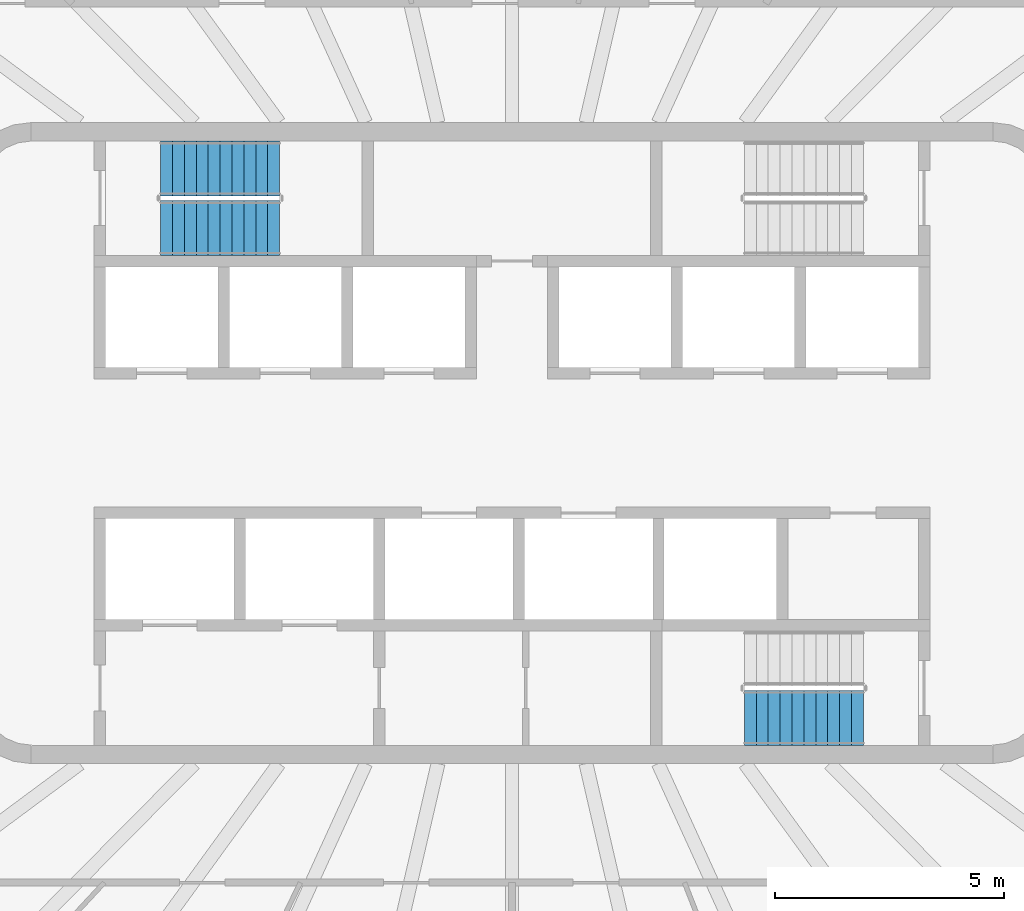
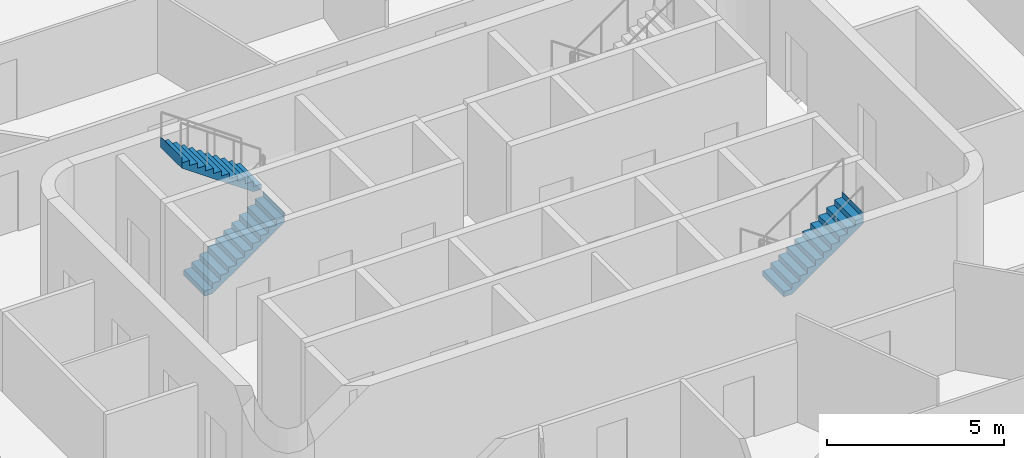
# One storey, part 13 of 19: 3 stair flights, 2 elements without a shape of their own.
"""IFC4 building model written with IfcOpenShell, lengths in metres."""

from ifc_helpers import new_model, si_unit, direction, frame, origin, place, context, subcontext, project, spatial, triangles, material, type_object, element, aggregate, save


model = new_model("IFC4")

# Units and contexts
model_context = context("Model", 3, precision=1e-05, world=origin(), true_north=direction((0.0, 1.0)))
body_context = subcontext(model_context, "Body", "Model", "MODEL_VIEW")
ifc_project = project(units=[si_unit("LENGTHUNIT", "METRE"), si_unit("AREAUNIT", "SQUARE_METRE"), si_unit("VOLUMEUNIT", "CUBIC_METRE"), si_unit("PLANEANGLEUNIT", "RADIAN"), si_unit("MASSUNIT", "GRAM", prefix="KILO")], contexts=[model_context])

# Site, building, storey
site_placement = place(None, origin())
site = spatial("IfcSite", under=ifc_project, at=site_placement, CompositionType="ELEMENT")
building_placement = place(site_placement, origin())
building = spatial("IfcBuilding", under=site, at=building_placement, Name="Sahrelin Media Tower", CompositionType="ELEMENT")
storey_placement = place(building_placement, frame((0.0, 0.0, 241.60009765625)))
storey = spatial("IfcBuildingStorey", under=building, at=storey_placement, Name="L52", CompositionType="ELEMENT", Elevation=241.60009765625)

# Stair, stair flights
ifc_material = material(Name="Concrete C40/50", Category="concrete")
stair_type = type_object("IfcStairType", Name="Exit stair 1200", PredefinedType="HALF_TURN_STAIR", material=ifc_material)
placement = place(storey_placement, origin())
stair_1 = element("IfcStair", 1, at=placement, inside=storey, type_object=stair_type, Name="L52 Exit stair ST1", PredefinedType="HALF_TURN_STAIR")
stair_flight_type = type_object("IfcStairFlightType", Name="Stair flight 1200", PredefinedType="STRAIGHT", material=ifc_material)
stair_flight_1_placement = place(storey_placement, frame((-7.675048828125, 4.699951171875, 0.0), z_axis=(0.0, 0.0, 1.0), x_axis=(1.0, 0.0, 0.0)))
stair_flight_1 = element("IfcStairFlight", 2, at=stair_flight_1_placement, type_object=stair_flight_type, Name="ST1 flight 1", NumberOfRisers=11, NumberOfTreads=10, PredefinedType="STRAIGHT", RiserHeight=0.181818182, TreadLength=0.26, context=body_context, shape_type="Tessellation", body=[
    triangles([(0.261474609375, 0.60009765625, 0.0), (0.261474609375, 0.300048828125, 0.0), (0.261474609375, 0.0, 0.0), (0.261474609375, -0.300048828125, 0.0), (0.261474609375, -0.60009765625, 0.0), (2.60009765625, 0.60009765625, 1.63525390625), (2.60009765625, 0.300048828125, 1.63525390625), (2.60009765625, 0.0, 1.63525390625), (2.60009765625, -0.300048828125, 1.63525390625), (2.60009765625, -0.60009765625, 1.63525390625), (2.60009765625, 0.60009765625, 2.0), (2.60009765625, 0.300048828125, 2.0), (2.60009765625, 0.0, 2.0), (2.60009765625, -0.300048828125, 2.0), (2.60009765625, -0.60009765625, 2.0), (2.597900390625, 0.60009765625, 2.0), (2.597900390625, 0.300048828125, 2.0), (2.597900390625, 0.0, 2.0), (2.597900390625, -0.300048828125, 2.0), (2.597900390625, -0.60009765625, 2.0), (2.597900390625, 0.60009765625, 1.818115234375), (2.597900390625, 0.300048828125, 1.818115234375), (2.597900390625, 0.0, 1.818115234375), (2.597900390625, -0.300048828125, 1.818115234375), (2.597900390625, -0.60009765625, 1.818115234375), (2.340087890625, 0.60009765625, 1.818115234375), (2.340087890625, 0.300048828125, 1.818115234375), (2.340087890625, 0.0, 1.818115234375), (2.340087890625, -0.300048828125, 1.818115234375), (2.340087890625, -0.60009765625, 1.818115234375), (2.340087890625, 0.60009765625, 1.636474609375), (2.340087890625, 0.300048828125, 1.636474609375), (2.340087890625, 0.0, 1.636474609375), (2.340087890625, -0.300048828125, 1.636474609375), (2.340087890625, -0.60009765625, 1.636474609375), (2.080078125, 0.60009765625, 1.636474609375), (2.080078125, 0.300048828125, 1.636474609375), (2.080078125, 0.0, 1.636474609375), (2.080078125, -0.300048828125, 1.636474609375), (2.080078125, -0.60009765625, 1.636474609375), (2.080078125, 0.60009765625, 1.45458984375), (2.080078125, 0.300048828125, 1.45458984375), (2.080078125, 0.0, 1.45458984375), (2.080078125, -0.300048828125, 1.45458984375), (2.080078125, -0.60009765625, 1.45458984375), (1.820068359375, 0.60009765625, 1.45458984375), (1.820068359375, 0.300048828125, 1.45458984375), (1.820068359375, 0.0, 1.45458984375), (1.820068359375, -0.300048828125, 1.45458984375), (1.820068359375, -0.60009765625, 1.45458984375), (1.820068359375, 0.60009765625, 1.272705078125), (1.820068359375, 0.300048828125, 1.272705078125), (1.820068359375, 0.0, 1.272705078125), (1.820068359375, -0.300048828125, 1.272705078125), (1.820068359375, -0.60009765625, 1.272705078125), (1.56005859375, 0.60009765625, 1.272705078125), (1.56005859375, 0.300048828125, 1.272705078125), (1.56005859375, 0.0, 1.272705078125), (1.56005859375, -0.300048828125, 1.272705078125), (1.56005859375, -0.60009765625, 1.272705078125), (1.56005859375, 0.60009765625, 1.0908203125), (1.56005859375, 0.300048828125, 1.0908203125), (1.56005859375, 0.0, 1.0908203125), (1.56005859375, -0.300048828125, 1.0908203125), (1.56005859375, -0.60009765625, 1.0908203125), (1.300048828125, 0.60009765625, 1.0908203125), (1.300048828125, 0.300048828125, 1.0908203125), (1.300048828125, 0.0, 1.0908203125), (1.300048828125, -0.300048828125, 1.0908203125), (1.300048828125, -0.60009765625, 1.0908203125), (1.300048828125, 0.60009765625, 0.9091796875), (1.300048828125, 0.300048828125, 0.9091796875), (1.300048828125, 0.0, 0.9091796875), (1.300048828125, -0.300048828125, 0.9091796875), (1.300048828125, -0.60009765625, 0.9091796875), (1.0400390625, 0.60009765625, 0.9091796875), (1.0400390625, 0.300048828125, 0.9091796875), (1.0400390625, 0.0, 0.9091796875), (1.0400390625, -0.300048828125, 0.9091796875), (1.0400390625, -0.60009765625, 0.9091796875), (1.0400390625, 0.60009765625, 0.727294921875), (1.0400390625, 0.300048828125, 0.727294921875), (1.0400390625, 0.0, 0.727294921875), (1.0400390625, -0.300048828125, 0.727294921875), (1.0400390625, -0.60009765625, 0.727294921875), (0.780029296875, 0.60009765625, 0.727294921875), (0.780029296875, 0.300048828125, 0.727294921875), (0.780029296875, 0.0, 0.727294921875), (0.780029296875, -0.300048828125, 0.727294921875), (0.780029296875, -0.60009765625, 0.727294921875), (0.780029296875, 0.60009765625, 0.54541015625), (0.780029296875, 0.300048828125, 0.54541015625), (0.780029296875, 0.0, 0.54541015625), (0.780029296875, -0.300048828125, 0.54541015625), (0.780029296875, -0.60009765625, 0.54541015625), (0.52001953125, 0.60009765625, 0.54541015625), (0.52001953125, 0.300048828125, 0.54541015625), (0.52001953125, 0.0, 0.54541015625), (0.52001953125, -0.300048828125, 0.54541015625), (0.52001953125, -0.60009765625, 0.54541015625), (0.52001953125, 0.60009765625, 0.363525390625), (0.52001953125, 0.300048828125, 0.363525390625), (0.52001953125, 0.0, 0.363525390625), (0.52001953125, -0.300048828125, 0.363525390625), (0.52001953125, -0.60009765625, 0.363525390625), (0.260009765625, 0.60009765625, 0.363525390625), (0.260009765625, 0.300048828125, 0.363525390625), (0.260009765625, 0.0, 0.363525390625), (0.260009765625, -0.300048828125, 0.363525390625), (0.260009765625, -0.60009765625, 0.363525390625), (0.260009765625, 0.60009765625, 0.181884765625), (0.260009765625, 0.300048828125, 0.181884765625), (0.260009765625, 0.0, 0.181884765625), (0.260009765625, -0.300048828125, 0.181884765625), (0.260009765625, -0.60009765625, 0.181884765625), (0.0, 0.60009765625, 0.181884765625), (0.0, 0.300048828125, 0.181884765625), (0.0, 0.0, 0.181884765625), (0.0, -0.300048828125, 0.181884765625), (0.0, -0.60009765625, 0.181884765625), (0.0, 0.60009765625, 0.0), (0.0, 0.300048828125, 0.0), (0.0, 0.0, 0.0), (0.0, -0.300048828125, 0.0), (0.0, -0.60009765625, 0.0)], [[1, 6, 7], [1, 7, 2], [2, 7, 8], [2, 8, 3], [3, 8, 9], [3, 9, 4], [4, 9, 10], [4, 10, 5], [6, 11, 12], [6, 12, 7], [7, 12, 13], [7, 13, 8], [8, 13, 14], [8, 14, 9], [9, 14, 15], [9, 15, 10], [11, 16, 17], [11, 17, 12], [12, 17, 18], [12, 18, 13], [13, 18, 19], [13, 19, 14], [14, 19, 20], [14, 20, 15], [16, 21, 22], [16, 22, 17], [17, 22, 23], [17, 23, 18], [18, 23, 24], [18, 24, 19], [19, 24, 25], [19, 25, 20], [21, 26, 27], [21, 27, 22], [22, 27, 28], [22, 28, 23], [23, 28, 29], [23, 29, 24], [24, 29, 30], [24, 30, 25], [26, 31, 32], [26, 32, 27], [27, 32, 33], [27, 33, 28], [28, 33, 34], [28, 34, 29], [29, 34, 35], [29, 35, 30], [31, 36, 37], [31, 37, 32], [32, 37, 38], [32, 38, 33], [33, 38, 39], [33, 39, 34], [34, 39, 40], [34, 40, 35], [36, 41, 42], [36, 42, 37], [37, 42, 43], [37, 43, 38], [38, 43, 44], [38, 44, 39], [39, 44, 45], [39, 45, 40], [41, 46, 47], [41, 47, 42], [42, 47, 48], [42, 48, 43], [43, 48, 49], [43, 49, 44], [44, 49, 50], [44, 50, 45], [46, 51, 52], [46, 52, 47], [47, 52, 53], [47, 53, 48], [48, 53, 54], [48, 54, 49], [49, 54, 55], [49, 55, 50], [51, 56, 57], [51, 57, 52], [52, 57, 58], [52, 58, 53], [53, 58, 59], [53, 59, 54], [54, 59, 60], [54, 60, 55], [56, 61, 62], [56, 62, 57], [57, 62, 63], [57, 63, 58], [58, 63, 64], [58, 64, 59], [59, 64, 65], [59, 65, 60], [61, 66, 67], [61, 67, 62], [62, 67, 68], [62, 68, 63], [63, 68, 69], [63, 69, 64], [64, 69, 70], [64, 70, 65], [66, 71, 72], [66, 72, 67], [67, 72, 73], [67, 73, 68], [68, 73, 74], [68, 74, 69], [69, 74, 75], [69, 75, 70], [71, 76, 77], [71, 77, 72], [72, 77, 78], [72, 78, 73], [73, 78, 79], [73, 79, 74], [74, 79, 80], [74, 80, 75], [76, 81, 82], [76, 82, 77], [77, 82, 83], [77, 83, 78], [78, 83, 84], [78, 84, 79], [79, 84, 85], [79, 85, 80], [81, 86, 87], [81, 87, 82], [82, 87, 88], [82, 88, 83], [83, 88, 89], [83, 89, 84], [84, 89, 90], [84, 90, 85], [86, 91, 92], [86, 92, 87], [87, 92, 93], [87, 93, 88], [88, 93, 94], [88, 94, 89], [89, 94, 95], [89, 95, 90], [91, 96, 97], [91, 97, 92], [92, 97, 98], [92, 98, 93], [93, 98, 99], [93, 99, 94], [94, 99, 100], [94, 100, 95], [96, 101, 102], [96, 102, 97], [97, 102, 103], [97, 103, 98], [98, 103, 104], [98, 104, 99], [99, 104, 105], [99, 105, 100], [101, 106, 107], [101, 107, 102], [102, 107, 108], [102, 108, 103], [103, 108, 109], [103, 109, 104], [104, 109, 110], [104, 110, 105], [106, 111, 112], [106, 112, 107], [107, 112, 113], [107, 113, 108], [108, 113, 114], [108, 114, 109], [109, 114, 115], [109, 115, 110], [111, 116, 117], [111, 117, 112], [112, 117, 118], [112, 118, 113], [113, 118, 119], [113, 119, 114], [114, 119, 120], [114, 120, 115], [116, 121, 122], [116, 122, 117], [117, 122, 123], [117, 123, 118], [118, 123, 124], [118, 124, 119], [119, 124, 125], [119, 125, 120], [121, 1, 2], [121, 2, 122], [122, 2, 3], [122, 3, 123], [123, 3, 4], [123, 4, 124], [124, 4, 5], [124, 5, 125], [115, 120, 125], [111, 121, 116], [115, 105, 110], [111, 106, 101], [105, 95, 100], [101, 96, 91], [95, 85, 90], [91, 86, 81], [85, 75, 80], [81, 76, 71], [75, 65, 70], [71, 66, 61], [65, 55, 60], [61, 56, 51], [55, 45, 50], [51, 46, 41], [45, 35, 40], [41, 36, 31], [35, 25, 30], [31, 26, 21], [25, 15, 20], [21, 16, 11], [125, 5, 115], [121, 111, 1], [25, 10, 15], [21, 11, 6], [105, 115, 5], [101, 1, 111], [35, 10, 25], [31, 21, 6], [95, 105, 5], [91, 1, 101], [45, 10, 35], [41, 31, 6], [85, 95, 5], [81, 1, 91], [55, 10, 45], [51, 41, 6], [75, 85, 5], [71, 1, 81], [65, 10, 55], [61, 51, 6], [5, 10, 75], [1, 71, 6], [75, 10, 65], [71, 61, 6]], closed=True),
])
stair_flight_2_placement = place(storey_placement, frame((-5.074951171875, 6.0, 2.0), z_axis=(0.0, 0.0, 1.0), x_axis=(-1.0, 0.0, 0.0)))
stair_flight_2 = element("IfcStairFlight", 3, at=stair_flight_2_placement, type_object=stair_flight_type, Name="ST1 flight 2", NumberOfRisers=11, NumberOfTreads=10, PredefinedType="STRAIGHT", RiserHeight=0.181818182, TreadLength=0.26, context=body_context, shape_type="Tessellation", body=[
    triangles([(0.261474609375, 0.60009765625, 0.0), (0.261474609375, 0.300048828125, 0.0), (0.261474609375, 0.0, 0.0), (0.261474609375, -0.300048828125, 0.0), (0.261474609375, -0.60009765625, 0.0), (2.60009765625, 0.60009765625, 1.63525390625), (2.60009765625, 0.300048828125, 1.63525390625), (2.60009765625, 0.0, 1.63525390625), (2.60009765625, -0.300048828125, 1.63525390625), (2.60009765625, -0.60009765625, 1.63525390625), (2.60009765625, 0.60009765625, 2.0), (2.60009765625, 0.300048828125, 2.0), (2.60009765625, 0.0, 2.0), (2.60009765625, -0.300048828125, 2.0), (2.60009765625, -0.60009765625, 2.0), (2.597900390625, 0.60009765625, 2.0), (2.597900390625, 0.300048828125, 2.0), (2.597900390625, 0.0, 2.0), (2.597900390625, -0.300048828125, 2.0), (2.597900390625, -0.60009765625, 2.0), (2.597900390625, 0.60009765625, 1.818115234375), (2.597900390625, 0.300048828125, 1.818115234375), (2.597900390625, 0.0, 1.818115234375), (2.597900390625, -0.300048828125, 1.818115234375), (2.597900390625, -0.60009765625, 1.818115234375), (2.340087890625, 0.60009765625, 1.818115234375), (2.340087890625, 0.300048828125, 1.818115234375), (2.340087890625, 0.0, 1.818115234375), (2.340087890625, -0.300048828125, 1.818115234375), (2.340087890625, -0.60009765625, 1.818115234375), (2.340087890625, 0.60009765625, 1.636474609375), (2.340087890625, 0.300048828125, 1.636474609375), (2.340087890625, 0.0, 1.636474609375), (2.340087890625, -0.300048828125, 1.636474609375), (2.340087890625, -0.60009765625, 1.636474609375), (2.080078125, 0.60009765625, 1.636474609375), (2.080078125, 0.300048828125, 1.636474609375), (2.080078125, 0.0, 1.636474609375), (2.080078125, -0.300048828125, 1.636474609375), (2.080078125, -0.60009765625, 1.636474609375), (2.080078125, 0.60009765625, 1.45458984375), (2.080078125, 0.300048828125, 1.45458984375), (2.080078125, 0.0, 1.45458984375), (2.080078125, -0.300048828125, 1.45458984375), (2.080078125, -0.60009765625, 1.45458984375), (1.820068359375, 0.60009765625, 1.45458984375), (1.820068359375, 0.300048828125, 1.45458984375), (1.820068359375, 0.0, 1.45458984375), (1.820068359375, -0.300048828125, 1.45458984375), (1.820068359375, -0.60009765625, 1.45458984375), (1.820068359375, 0.60009765625, 1.272705078125), (1.820068359375, 0.300048828125, 1.272705078125), (1.820068359375, 0.0, 1.272705078125), (1.820068359375, -0.300048828125, 1.272705078125), (1.820068359375, -0.60009765625, 1.272705078125), (1.56005859375, 0.60009765625, 1.272705078125), (1.56005859375, 0.300048828125, 1.272705078125), (1.56005859375, 0.0, 1.272705078125), (1.56005859375, -0.300048828125, 1.272705078125), (1.56005859375, -0.60009765625, 1.272705078125), (1.56005859375, 0.60009765625, 1.0908203125), (1.56005859375, 0.300048828125, 1.0908203125), (1.56005859375, 0.0, 1.0908203125), (1.56005859375, -0.300048828125, 1.0908203125), (1.56005859375, -0.60009765625, 1.0908203125), (1.300048828125, 0.60009765625, 1.0908203125), (1.300048828125, 0.300048828125, 1.0908203125), (1.300048828125, 0.0, 1.0908203125), (1.300048828125, -0.300048828125, 1.0908203125), (1.300048828125, -0.60009765625, 1.0908203125), (1.300048828125, 0.60009765625, 0.9091796875), (1.300048828125, 0.300048828125, 0.9091796875), (1.300048828125, 0.0, 0.9091796875), (1.300048828125, -0.300048828125, 0.9091796875), (1.300048828125, -0.60009765625, 0.9091796875), (1.0400390625, 0.60009765625, 0.9091796875), (1.0400390625, 0.300048828125, 0.9091796875), (1.0400390625, 0.0, 0.9091796875), (1.0400390625, -0.300048828125, 0.9091796875), (1.0400390625, -0.60009765625, 0.9091796875), (1.0400390625, 0.60009765625, 0.727294921875), (1.0400390625, 0.300048828125, 0.727294921875), (1.0400390625, 0.0, 0.727294921875), (1.0400390625, -0.300048828125, 0.727294921875), (1.0400390625, -0.60009765625, 0.727294921875), (0.780029296875, 0.60009765625, 0.727294921875), (0.780029296875, 0.300048828125, 0.727294921875), (0.780029296875, 0.0, 0.727294921875), (0.780029296875, -0.300048828125, 0.727294921875), (0.780029296875, -0.60009765625, 0.727294921875), (0.780029296875, 0.60009765625, 0.54541015625), (0.780029296875, 0.300048828125, 0.54541015625), (0.780029296875, 0.0, 0.54541015625), (0.780029296875, -0.300048828125, 0.54541015625), (0.780029296875, -0.60009765625, 0.54541015625), (0.52001953125, 0.60009765625, 0.54541015625), (0.52001953125, 0.300048828125, 0.54541015625), (0.52001953125, 0.0, 0.54541015625), (0.52001953125, -0.300048828125, 0.54541015625), (0.52001953125, -0.60009765625, 0.54541015625), (0.52001953125, 0.60009765625, 0.363525390625), (0.52001953125, 0.300048828125, 0.363525390625), (0.52001953125, 0.0, 0.363525390625), (0.52001953125, -0.300048828125, 0.363525390625), (0.52001953125, -0.60009765625, 0.363525390625), (0.260009765625, 0.60009765625, 0.363525390625), (0.260009765625, 0.300048828125, 0.363525390625), (0.260009765625, 0.0, 0.363525390625), (0.260009765625, -0.300048828125, 0.363525390625), (0.260009765625, -0.60009765625, 0.363525390625), (0.260009765625, 0.60009765625, 0.181884765625), (0.260009765625, 0.300048828125, 0.181884765625), (0.260009765625, 0.0, 0.181884765625), (0.260009765625, -0.300048828125, 0.181884765625), (0.260009765625, -0.60009765625, 0.181884765625), (0.0, 0.60009765625, 0.181884765625), (0.0, 0.300048828125, 0.181884765625), (0.0, 0.0, 0.181884765625), (0.0, -0.300048828125, 0.181884765625), (0.0, -0.60009765625, 0.181884765625), (0.0, 0.60009765625, 0.0), (0.0, 0.300048828125, 0.0), (0.0, 0.0, 0.0), (0.0, -0.300048828125, 0.0), (0.0, -0.60009765625, 0.0)], [[1, 6, 7], [1, 7, 2], [2, 7, 8], [2, 8, 3], [3, 8, 9], [3, 9, 4], [4, 9, 10], [4, 10, 5], [6, 11, 12], [6, 12, 7], [7, 12, 13], [7, 13, 8], [8, 13, 14], [8, 14, 9], [9, 14, 15], [9, 15, 10], [11, 16, 17], [11, 17, 12], [12, 17, 18], [12, 18, 13], [13, 18, 19], [13, 19, 14], [14, 19, 20], [14, 20, 15], [16, 21, 22], [16, 22, 17], [17, 22, 23], [17, 23, 18], [18, 23, 24], [18, 24, 19], [19, 24, 25], [19, 25, 20], [21, 26, 27], [21, 27, 22], [22, 27, 28], [22, 28, 23], [23, 28, 29], [23, 29, 24], [24, 29, 30], [24, 30, 25], [26, 31, 32], [26, 32, 27], [27, 32, 33], [27, 33, 28], [28, 33, 34], [28, 34, 29], [29, 34, 35], [29, 35, 30], [31, 36, 37], [31, 37, 32], [32, 37, 38], [32, 38, 33], [33, 38, 39], [33, 39, 34], [34, 39, 40], [34, 40, 35], [36, 41, 42], [36, 42, 37], [37, 42, 43], [37, 43, 38], [38, 43, 44], [38, 44, 39], [39, 44, 45], [39, 45, 40], [41, 46, 47], [41, 47, 42], [42, 47, 48], [42, 48, 43], [43, 48, 49], [43, 49, 44], [44, 49, 50], [44, 50, 45], [46, 51, 52], [46, 52, 47], [47, 52, 53], [47, 53, 48], [48, 53, 54], [48, 54, 49], [49, 54, 55], [49, 55, 50], [51, 56, 57], [51, 57, 52], [52, 57, 58], [52, 58, 53], [53, 58, 59], [53, 59, 54], [54, 59, 60], [54, 60, 55], [56, 61, 62], [56, 62, 57], [57, 62, 63], [57, 63, 58], [58, 63, 64], [58, 64, 59], [59, 64, 65], [59, 65, 60], [61, 66, 67], [61, 67, 62], [62, 67, 68], [62, 68, 63], [63, 68, 69], [63, 69, 64], [64, 69, 70], [64, 70, 65], [66, 71, 72], [66, 72, 67], [67, 72, 73], [67, 73, 68], [68, 73, 74], [68, 74, 69], [69, 74, 75], [69, 75, 70], [71, 76, 77], [71, 77, 72], [72, 77, 78], [72, 78, 73], [73, 78, 79], [73, 79, 74], [74, 79, 80], [74, 80, 75], [76, 81, 82], [76, 82, 77], [77, 82, 83], [77, 83, 78], [78, 83, 84], [78, 84, 79], [79, 84, 85], [79, 85, 80], [81, 86, 87], [81, 87, 82], [82, 87, 88], [82, 88, 83], [83, 88, 89], [83, 89, 84], [84, 89, 90], [84, 90, 85], [86, 91, 92], [86, 92, 87], [87, 92, 93], [87, 93, 88], [88, 93, 94], [88, 94, 89], [89, 94, 95], [89, 95, 90], [91, 96, 97], [91, 97, 92], [92, 97, 98], [92, 98, 93], [93, 98, 99], [93, 99, 94], [94, 99, 100], [94, 100, 95], [96, 101, 102], [96, 102, 97], [97, 102, 103], [97, 103, 98], [98, 103, 104], [98, 104, 99], [99, 104, 105], [99, 105, 100], [101, 106, 107], [101, 107, 102], [102, 107, 108], [102, 108, 103], [103, 108, 109], [103, 109, 104], [104, 109, 110], [104, 110, 105], [106, 111, 112], [106, 112, 107], [107, 112, 113], [107, 113, 108], [108, 113, 114], [108, 114, 109], [109, 114, 115], [109, 115, 110], [111, 116, 117], [111, 117, 112], [112, 117, 118], [112, 118, 113], [113, 118, 119], [113, 119, 114], [114, 119, 120], [114, 120, 115], [116, 121, 122], [116, 122, 117], [117, 122, 123], [117, 123, 118], [118, 123, 124], [118, 124, 119], [119, 124, 125], [119, 125, 120], [121, 1, 2], [121, 2, 122], [122, 2, 3], [122, 3, 123], [123, 3, 4], [123, 4, 124], [124, 4, 5], [124, 5, 125], [115, 120, 125], [111, 121, 116], [115, 105, 110], [111, 106, 101], [105, 95, 100], [101, 96, 91], [95, 85, 90], [91, 86, 81], [85, 75, 80], [81, 76, 71], [75, 65, 70], [71, 66, 61], [65, 55, 60], [61, 56, 51], [55, 45, 50], [51, 46, 41], [45, 35, 40], [41, 36, 31], [35, 25, 30], [31, 26, 21], [25, 15, 20], [21, 16, 11], [125, 5, 115], [121, 111, 1], [25, 10, 15], [21, 11, 6], [105, 115, 5], [101, 1, 111], [35, 10, 25], [31, 21, 6], [95, 105, 5], [91, 1, 101], [45, 10, 35], [41, 31, 6], [85, 95, 5], [81, 1, 91], [55, 10, 45], [51, 41, 6], [75, 85, 5], [71, 1, 81], [65, 10, 55], [61, 51, 6], [5, 10, 75], [1, 71, 6], [75, 10, 65], [71, 61, 6]], closed=True),
])
aggregate(stair_1, [stair_flight_1, stair_flight_2])

# Stair, stair flight
stair_2 = element("IfcStair", 4, at=placement, inside=storey, type_object=stair_type, Name="L52 Exit stair ST2", PredefinedType="HALF_TURN_STAIR")
stair_flight_3_placement = place(storey_placement, frame((5.074951171875, -6.0, 2.0), z_axis=(0.0, 0.0, 1.0), x_axis=(1.0, 0.0, 0.0)))
stair_flight_3 = element("IfcStairFlight", 5, at=stair_flight_3_placement, type_object=stair_flight_type, Name="ST2 flight 2", NumberOfRisers=11, NumberOfTreads=10, PredefinedType="STRAIGHT", RiserHeight=0.181818182, TreadLength=0.26, context=body_context, shape_type="Tessellation", body=[
    triangles([(0.261474609375, 0.60009765625, 0.0), (0.261474609375, 0.300048828125, 0.0), (0.261474609375, 0.0, 0.0), (0.261474609375, -0.300048828125, 0.0), (0.261474609375, -0.60009765625, 0.0), (2.60009765625, 0.60009765625, 1.63525390625), (2.60009765625, 0.300048828125, 1.63525390625), (2.60009765625, 0.0, 1.63525390625), (2.60009765625, -0.300048828125, 1.63525390625), (2.60009765625, -0.60009765625, 1.63525390625), (2.60009765625, 0.60009765625, 2.0), (2.60009765625, 0.300048828125, 2.0), (2.60009765625, 0.0, 2.0), (2.60009765625, -0.300048828125, 2.0), (2.60009765625, -0.60009765625, 2.0), (2.597900390625, 0.60009765625, 2.0), (2.597900390625, 0.300048828125, 2.0), (2.597900390625, 0.0, 2.0), (2.597900390625, -0.300048828125, 2.0), (2.597900390625, -0.60009765625, 2.0), (2.597900390625, 0.60009765625, 1.818115234375), (2.597900390625, 0.300048828125, 1.818115234375), (2.597900390625, 0.0, 1.818115234375), (2.597900390625, -0.300048828125, 1.818115234375), (2.597900390625, -0.60009765625, 1.818115234375), (2.340087890625, 0.60009765625, 1.818115234375), (2.340087890625, 0.300048828125, 1.818115234375), (2.340087890625, 0.0, 1.818115234375), (2.340087890625, -0.300048828125, 1.818115234375), (2.340087890625, -0.60009765625, 1.818115234375), (2.340087890625, 0.60009765625, 1.636474609375), (2.340087890625, 0.300048828125, 1.636474609375), (2.340087890625, 0.0, 1.636474609375), (2.340087890625, -0.300048828125, 1.636474609375), (2.340087890625, -0.60009765625, 1.636474609375), (2.080078125, 0.60009765625, 1.636474609375), (2.080078125, 0.300048828125, 1.636474609375), (2.080078125, 0.0, 1.636474609375), (2.080078125, -0.300048828125, 1.636474609375), (2.080078125, -0.60009765625, 1.636474609375), (2.080078125, 0.60009765625, 1.45458984375), (2.080078125, 0.300048828125, 1.45458984375), (2.080078125, 0.0, 1.45458984375), (2.080078125, -0.300048828125, 1.45458984375), (2.080078125, -0.60009765625, 1.45458984375), (1.820068359375, 0.60009765625, 1.45458984375), (1.820068359375, 0.300048828125, 1.45458984375), (1.820068359375, 0.0, 1.45458984375), (1.820068359375, -0.300048828125, 1.45458984375), (1.820068359375, -0.60009765625, 1.45458984375), (1.820068359375, 0.60009765625, 1.272705078125), (1.820068359375, 0.300048828125, 1.272705078125), (1.820068359375, 0.0, 1.272705078125), (1.820068359375, -0.300048828125, 1.272705078125), (1.820068359375, -0.60009765625, 1.272705078125), (1.56005859375, 0.60009765625, 1.272705078125), (1.56005859375, 0.300048828125, 1.272705078125), (1.56005859375, 0.0, 1.272705078125), (1.56005859375, -0.300048828125, 1.272705078125), (1.56005859375, -0.60009765625, 1.272705078125), (1.56005859375, 0.60009765625, 1.0908203125), (1.56005859375, 0.300048828125, 1.0908203125), (1.56005859375, 0.0, 1.0908203125), (1.56005859375, -0.300048828125, 1.0908203125), (1.56005859375, -0.60009765625, 1.0908203125), (1.300048828125, 0.60009765625, 1.0908203125), (1.300048828125, 0.300048828125, 1.0908203125), (1.300048828125, 0.0, 1.0908203125), (1.300048828125, -0.300048828125, 1.0908203125), (1.300048828125, -0.60009765625, 1.0908203125), (1.300048828125, 0.60009765625, 0.9091796875), (1.300048828125, 0.300048828125, 0.9091796875), (1.300048828125, 0.0, 0.9091796875), (1.300048828125, -0.300048828125, 0.9091796875), (1.300048828125, -0.60009765625, 0.9091796875), (1.0400390625, 0.60009765625, 0.9091796875), (1.0400390625, 0.300048828125, 0.9091796875), (1.0400390625, 0.0, 0.9091796875), (1.0400390625, -0.300048828125, 0.9091796875), (1.0400390625, -0.60009765625, 0.9091796875), (1.0400390625, 0.60009765625, 0.727294921875), (1.0400390625, 0.300048828125, 0.727294921875), (1.0400390625, 0.0, 0.727294921875), (1.0400390625, -0.300048828125, 0.727294921875), (1.0400390625, -0.60009765625, 0.727294921875), (0.780029296875, 0.60009765625, 0.727294921875), (0.780029296875, 0.300048828125, 0.727294921875), (0.780029296875, 0.0, 0.727294921875), (0.780029296875, -0.300048828125, 0.727294921875), (0.780029296875, -0.60009765625, 0.727294921875), (0.780029296875, 0.60009765625, 0.54541015625), (0.780029296875, 0.300048828125, 0.54541015625), (0.780029296875, 0.0, 0.54541015625), (0.780029296875, -0.300048828125, 0.54541015625), (0.780029296875, -0.60009765625, 0.54541015625), (0.52001953125, 0.60009765625, 0.54541015625), (0.52001953125, 0.300048828125, 0.54541015625), (0.52001953125, 0.0, 0.54541015625), (0.52001953125, -0.300048828125, 0.54541015625), (0.52001953125, -0.60009765625, 0.54541015625), (0.52001953125, 0.60009765625, 0.363525390625), (0.52001953125, 0.300048828125, 0.363525390625), (0.52001953125, 0.0, 0.363525390625), (0.52001953125, -0.300048828125, 0.363525390625), (0.52001953125, -0.60009765625, 0.363525390625), (0.260009765625, 0.60009765625, 0.363525390625), (0.260009765625, 0.300048828125, 0.363525390625), (0.260009765625, 0.0, 0.363525390625), (0.260009765625, -0.300048828125, 0.363525390625), (0.260009765625, -0.60009765625, 0.363525390625), (0.260009765625, 0.60009765625, 0.181884765625), (0.260009765625, 0.300048828125, 0.181884765625), (0.260009765625, 0.0, 0.181884765625), (0.260009765625, -0.300048828125, 0.181884765625), (0.260009765625, -0.60009765625, 0.181884765625), (0.0, 0.60009765625, 0.181884765625), (0.0, 0.300048828125, 0.181884765625), (0.0, 0.0, 0.181884765625), (0.0, -0.300048828125, 0.181884765625), (0.0, -0.60009765625, 0.181884765625), (0.0, 0.60009765625, 0.0), (0.0, 0.300048828125, 0.0), (0.0, 0.0, 0.0), (0.0, -0.300048828125, 0.0), (0.0, -0.60009765625, 0.0)], [[1, 6, 7], [1, 7, 2], [2, 7, 8], [2, 8, 3], [3, 8, 9], [3, 9, 4], [4, 9, 10], [4, 10, 5], [6, 11, 12], [6, 12, 7], [7, 12, 13], [7, 13, 8], [8, 13, 14], [8, 14, 9], [9, 14, 15], [9, 15, 10], [11, 16, 17], [11, 17, 12], [12, 17, 18], [12, 18, 13], [13, 18, 19], [13, 19, 14], [14, 19, 20], [14, 20, 15], [16, 21, 22], [16, 22, 17], [17, 22, 23], [17, 23, 18], [18, 23, 24], [18, 24, 19], [19, 24, 25], [19, 25, 20], [21, 26, 27], [21, 27, 22], [22, 27, 28], [22, 28, 23], [23, 28, 29], [23, 29, 24], [24, 29, 30], [24, 30, 25], [26, 31, 32], [26, 32, 27], [27, 32, 33], [27, 33, 28], [28, 33, 34], [28, 34, 29], [29, 34, 35], [29, 35, 30], [31, 36, 37], [31, 37, 32], [32, 37, 38], [32, 38, 33], [33, 38, 39], [33, 39, 34], [34, 39, 40], [34, 40, 35], [36, 41, 42], [36, 42, 37], [37, 42, 43], [37, 43, 38], [38, 43, 44], [38, 44, 39], [39, 44, 45], [39, 45, 40], [41, 46, 47], [41, 47, 42], [42, 47, 48], [42, 48, 43], [43, 48, 49], [43, 49, 44], [44, 49, 50], [44, 50, 45], [46, 51, 52], [46, 52, 47], [47, 52, 53], [47, 53, 48], [48, 53, 54], [48, 54, 49], [49, 54, 55], [49, 55, 50], [51, 56, 57], [51, 57, 52], [52, 57, 58], [52, 58, 53], [53, 58, 59], [53, 59, 54], [54, 59, 60], [54, 60, 55], [56, 61, 62], [56, 62, 57], [57, 62, 63], [57, 63, 58], [58, 63, 64], [58, 64, 59], [59, 64, 65], [59, 65, 60], [61, 66, 67], [61, 67, 62], [62, 67, 68], [62, 68, 63], [63, 68, 69], [63, 69, 64], [64, 69, 70], [64, 70, 65], [66, 71, 72], [66, 72, 67], [67, 72, 73], [67, 73, 68], [68, 73, 74], [68, 74, 69], [69, 74, 75], [69, 75, 70], [71, 76, 77], [71, 77, 72], [72, 77, 78], [72, 78, 73], [73, 78, 79], [73, 79, 74], [74, 79, 80], [74, 80, 75], [76, 81, 82], [76, 82, 77], [77, 82, 83], [77, 83, 78], [78, 83, 84], [78, 84, 79], [79, 84, 85], [79, 85, 80], [81, 86, 87], [81, 87, 82], [82, 87, 88], [82, 88, 83], [83, 88, 89], [83, 89, 84], [84, 89, 90], [84, 90, 85], [86, 91, 92], [86, 92, 87], [87, 92, 93], [87, 93, 88], [88, 93, 94], [88, 94, 89], [89, 94, 95], [89, 95, 90], [91, 96, 97], [91, 97, 92], [92, 97, 98], [92, 98, 93], [93, 98, 99], [93, 99, 94], [94, 99, 100], [94, 100, 95], [96, 101, 102], [96, 102, 97], [97, 102, 103], [97, 103, 98], [98, 103, 104], [98, 104, 99], [99, 104, 105], [99, 105, 100], [101, 106, 107], [101, 107, 102], [102, 107, 108], [102, 108, 103], [103, 108, 109], [103, 109, 104], [104, 109, 110], [104, 110, 105], [106, 111, 112], [106, 112, 107], [107, 112, 113], [107, 113, 108], [108, 113, 114], [108, 114, 109], [109, 114, 115], [109, 115, 110], [111, 116, 117], [111, 117, 112], [112, 117, 118], [112, 118, 113], [113, 118, 119], [113, 119, 114], [114, 119, 120], [114, 120, 115], [116, 121, 122], [116, 122, 117], [117, 122, 123], [117, 123, 118], [118, 123, 124], [118, 124, 119], [119, 124, 125], [119, 125, 120], [121, 1, 2], [121, 2, 122], [122, 2, 3], [122, 3, 123], [123, 3, 4], [123, 4, 124], [124, 4, 5], [124, 5, 125], [115, 120, 125], [111, 121, 116], [115, 105, 110], [111, 106, 101], [105, 95, 100], [101, 96, 91], [95, 85, 90], [91, 86, 81], [85, 75, 80], [81, 76, 71], [75, 65, 70], [71, 66, 61], [65, 55, 60], [61, 56, 51], [55, 45, 50], [51, 46, 41], [45, 35, 40], [41, 36, 31], [35, 25, 30], [31, 26, 21], [25, 15, 20], [21, 16, 11], [125, 5, 115], [121, 111, 1], [25, 10, 15], [21, 11, 6], [105, 115, 5], [101, 1, 111], [35, 10, 25], [31, 21, 6], [95, 105, 5], [91, 1, 101], [45, 10, 35], [41, 31, 6], [85, 95, 5], [81, 1, 91], [55, 10, 45], [51, 41, 6], [75, 85, 5], [71, 1, 81], [65, 10, 55], [61, 51, 6], [5, 10, 75], [1, 71, 6], [75, 10, 65], [71, 61, 6]], closed=True),
])
aggregate(stair_2, [stair_flight_3])

save(model, "model.ifc")
